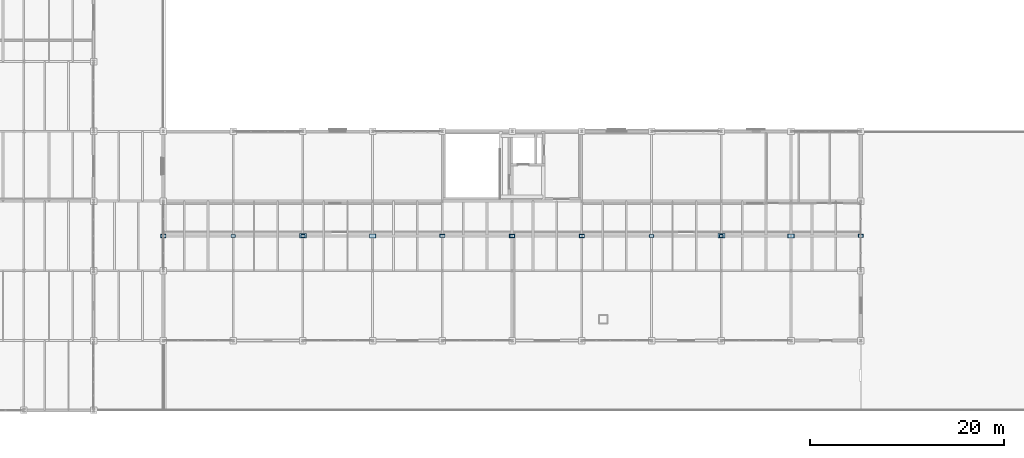
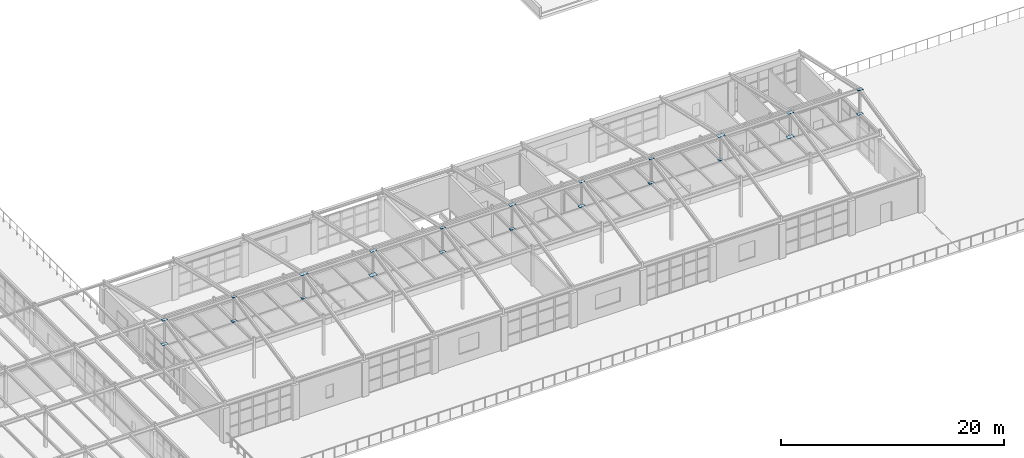
# One storey, part 89 of 101: 22 plates.
"""IFC4 building model written with IfcOpenShell, lengths in metres."""

from ifc_helpers import new_model, si_unit, direction, frame, origin, origin_2d, place, context, subcontext, project, spatial, rectangle, extrude, material, layer, layer_set, type_object, element, save


model = new_model("IFC4")

# Units and contexts
model_context = context("Model", 3, precision=1e-05, world=origin(), true_north=direction((0.0, 1.0)))
body_context = subcontext(model_context, "Body", "Model", "MODEL_VIEW")
ifc_project = project(units=[si_unit("LENGTHUNIT", "METRE"), si_unit("AREAUNIT", "SQUARE_METRE"), si_unit("VOLUMEUNIT", "CUBIC_METRE"), si_unit("PLANEANGLEUNIT", "RADIAN"), si_unit("MASSUNIT", "GRAM", prefix="KILO")], contexts=[model_context])

# Site, building, storey
site_placement = place(None, origin())
site = spatial("IfcSite", under=ifc_project, at=site_placement, CompositionType="ELEMENT")
building_placement = place(site_placement, origin())
building = spatial("IfcBuilding", under=site, at=building_placement, Name="Kemerveld Promenade Tramway Depot", CompositionType="ELEMENT")
storey_placement = place(building_placement, frame((0.0, 0.0, 9.89990234375)))
storey = spatial("IfcBuildingStorey", under=building, at=storey_placement, Name="L02", CompositionType="ELEMENT", Elevation=9.89990234375)

# Plates
ifc_material = material(Name="Steel S355", Category="steel")
ifc_layer_1 = layer(ifc_material, 0.02490234375)
ifc_layer_set_1 = layer_set([ifc_layer_1], Name="PL-GS01")
plate_type_1 = type_object("IfcPlateType", Name="PL-GS01", PredefinedType="USERDEFINED", material=ifc_layer_set_1)
plate_1_placement = place(storey_placement, frame((93.60009765625, 18.0, 6.702880859375), z_axis=(0.0, 0.0, 1.0), x_axis=(1.0, 0.0, 0.0)))
element("IfcPlate", 1, at=plate_1_placement, inside=storey, type_object=plate_type_1, Name="GP-NODE-0028", ObjectType="GUSSET_PLATE", PredefinedType="USERDEFINED", context=body_context, shape_type="SweptSolid", body=[
    extrude(rectangle(XDim=0.64990234375, YDim=0.419921875, at=origin_2d()), origin(), (0.0, 0.0, 1.0), 0.02490234375),
])
ifc_layer_2 = layer(ifc_material, 0.02490234375)
ifc_layer_set_2 = layer_set([ifc_layer_2], Name="PL-GS02")
plate_type_2 = type_object("IfcPlateType", Name="PL-GS02", PredefinedType="USERDEFINED", material=ifc_layer_set_2)
for number, where, z_axis, x_axis, name in (
    (2, (57.60009765625, 18.0, 4.03759765625), (0.0, 0.0, 1.0), (1.0, 0.0, 0.0), "GP-NODE-0017"),
    (3, (100.800048828125, 18.0, 4.03759765625), (0.0, 0.0, 1.0), (1.0, 0.0, 0.0), "GP-NODE-0029"),
):
    element("IfcPlate", number, at=place(storey_placement, frame(where, z_axis=z_axis, x_axis=x_axis)), inside=storey, type_object=plate_type_2, Name=name, ObjectType="GUSSET_PLATE", PredefinedType="USERDEFINED", context=body_context, shape_type="SweptSolid", body=[
        extrude(rectangle(XDim=0.580078125, YDim=0.3798828125, at=origin_2d()), origin(), (0.0, 0.0, 1.0), 0.02490234375),
    ])
ifc_layer_3 = layer(ifc_material, 0.02001953125)
ifc_layer_set_3 = layer_set([ifc_layer_3], Name="PL-GS03")
plate_type_3 = type_object("IfcPlateType", Name="PL-GS03", PredefinedType="USERDEFINED", material=ifc_layer_set_3)
for number, where, z_axis, x_axis, name in (
    (4, (57.60009765625, 18.0, 6.705322265625), (0.0, 0.0, 1.0), (1.0, 0.0, 0.0), "GP-NODE-0018"),
    (5, (100.800048828125, 18.0, 6.705322265625), (0.0, 0.0, 1.0), (1.0, 0.0, 0.0), "GP-NODE-0030"),
):
    element("IfcPlate", number, at=place(storey_placement, frame(where, z_axis=z_axis, x_axis=x_axis)), inside=storey, type_object=plate_type_3, Name=name, ObjectType="GUSSET_PLATE", PredefinedType="USERDEFINED", context=body_context, shape_type="SweptSolid", body=[
        extrude(rectangle(XDim=0.52001953125, YDim=0.340087890625, at=origin_2d()), origin(), (0.0, 0.0, 1.0), 0.02001953125),
    ])
ifc_layer_4 = layer(ifc_material, 0.02001953125)
ifc_layer_set_4 = layer_set([ifc_layer_4], Name="PL-GS04")
plate_type_4 = type_object("IfcPlateType", Name="PL-GS04", PredefinedType="USERDEFINED", material=ifc_layer_set_4)
for number, where, z_axis, x_axis, name in (
    (6, (64.800048828125, 18.0, 4.0400390625), (0.0, 0.0, 1.0), (1.0, 0.0, 0.0), "GP-NODE-0019"),
    (7, (108.0, 18.0, 4.0400390625), (0.0, 0.0, 1.0), (1.0, 0.0, 0.0), "GP-NODE-0031"),
):
    element("IfcPlate", number, at=place(storey_placement, frame(where, z_axis=z_axis, x_axis=x_axis)), inside=storey, type_object=plate_type_4, Name=name, ObjectType="GUSSET_PLATE", PredefinedType="USERDEFINED", context=body_context, shape_type="SweptSolid", body=[
        extrude(rectangle(XDim=0.47998046875, YDim=0.320068359375, at=origin_2d()), origin(), (0.0, 0.0, 1.0), 0.02001953125),
    ])
ifc_layer_5 = layer(ifc_material, 0.02001953125)
ifc_layer_set_5 = layer_set([ifc_layer_5], Name="PL-GS05")
plate_type_5 = type_object("IfcPlateType", Name="PL-GS05", PredefinedType="USERDEFINED", material=ifc_layer_set_5)
for number, where, z_axis, x_axis, name in (
    (8, (64.800048828125, 18.0, 6.705322265625), (0.0, 0.0, 1.0), (1.0, 0.0, 0.0), "GP-NODE-0020"),
    (9, (108.0, 18.0, 6.705322265625), (0.0, 0.0, 1.0), (1.0, 0.0, 0.0), "GP-NODE-0032"),
):
    element("IfcPlate", number, at=place(storey_placement, frame(where, z_axis=z_axis, x_axis=x_axis)), inside=storey, type_object=plate_type_5, Name=name, ObjectType="GUSSET_PLATE", PredefinedType="USERDEFINED", context=body_context, shape_type="SweptSolid", body=[
        extrude(rectangle(XDim=0.43994140625, YDim=0.300048828125, at=origin_2d()), origin(), (0.0, 0.0, 1.0), 0.02001953125),
    ])
ifc_layer_6 = layer(ifc_material, 0.01806640625)
ifc_layer_set_6 = layer_set([ifc_layer_6], Name="PL-GS06")
plate_type_6 = type_object("IfcPlateType", Name="PL-GS06", PredefinedType="USERDEFINED", material=ifc_layer_set_6)
for number, where, z_axis, x_axis, name in (
    (10, (72.0, 18.0, 4.041015625), (0.0, 0.0, 1.0), (1.0, 0.0, 0.0), "GP-NODE-0021"),
    (11, (115.199951171875, 18.0, 4.041015625), (0.0, 0.0, 1.0), (1.0, 0.0, 0.0), "GP-NODE-0033"),
):
    element("IfcPlate", number, at=place(storey_placement, frame(where, z_axis=z_axis, x_axis=x_axis)), inside=storey, type_object=plate_type_6, Name=name, ObjectType="GUSSET_PLATE", PredefinedType="USERDEFINED", context=body_context, shape_type="SweptSolid", body=[
        extrude(rectangle(XDim=0.39990234375, YDim=0.280029296875, at=origin_2d()), origin(), (0.0, 0.0, 1.0), 0.01806640625),
    ])
ifc_layer_7 = layer(ifc_material, 0.028076171875)
ifc_layer_set_7 = layer_set([ifc_layer_7], Name="PL-GS07")
plate_type_7 = type_object("IfcPlateType", Name="PL-GS07", PredefinedType="USERDEFINED", material=ifc_layer_set_7)
for number, where, z_axis, x_axis, name in (
    (12, (72.0, 18.0, 6.701171875), (0.0, 0.0, 1.0), (1.0, 0.0, 0.0), "GP-NODE-0022"),
    (13, (115.199951171875, 18.0, 6.701171875), (0.0, 0.0, 1.0), (1.0, 0.0, 0.0), "GP-NODE-0034"),
):
    element("IfcPlate", number, at=place(storey_placement, frame(where, z_axis=z_axis, x_axis=x_axis)), inside=storey, type_object=plate_type_7, Name=name, ObjectType="GUSSET_PLATE", PredefinedType="USERDEFINED", context=body_context, shape_type="SweptSolid", body=[
        extrude(rectangle(XDim=0.719970703125, YDim=0.4599609375, at=origin_2d()), origin(), (0.0, 0.0, 1.0), 0.028076171875),
    ])
ifc_layer_8 = layer(ifc_material, 0.02587890625)
ifc_layer_set_8 = layer_set([ifc_layer_8], Name="PL-GS08")
plate_type_8 = type_object("IfcPlateType", Name="PL-GS08", PredefinedType="USERDEFINED", material=ifc_layer_set_8)
for number, where, z_axis, x_axis, name in (
    (14, (79.199951171875, 18.0, 4.037109375), (0.0, 0.0, 1.0), (1.0, 0.0, 0.0), "GP-NODE-0023"),
    (15, (122.39990234375, 18.0, 4.037109375), (0.0, 0.0, 1.0), (1.0, 0.0, 0.0), "GP-NODE-0035"),
):
    element("IfcPlate", number, at=place(storey_placement, frame(where, z_axis=z_axis, x_axis=x_axis)), inside=storey, type_object=plate_type_8, Name=name, ObjectType="GUSSET_PLATE", PredefinedType="USERDEFINED", context=body_context, shape_type="SweptSolid", body=[
        extrude(rectangle(XDim=0.679931640625, YDim=0.43994140625, at=origin_2d()), origin(), (0.0, 0.0, 1.0), 0.02587890625),
    ])
ifc_layer_9 = layer(ifc_material, 0.02392578125)
ifc_layer_set_9 = layer_set([ifc_layer_9], Name="PL-GS09")
plate_type_9 = type_object("IfcPlateType", Name="PL-GS09", PredefinedType="USERDEFINED", material=ifc_layer_set_9)
for number, where, z_axis, x_axis, name in (
    (16, (79.199951171875, 18.0, 6.703369140625), (0.0, 0.0, 1.0), (1.0, 0.0, 0.0), "GP-NODE-0024"),
    (17, (122.39990234375, 18.0, 6.703369140625), (0.0, 0.0, 1.0), (1.0, 0.0, 0.0), "GP-NODE-0036"),
):
    element("IfcPlate", number, at=place(storey_placement, frame(where, z_axis=z_axis, x_axis=x_axis)), inside=storey, type_object=plate_type_9, Name=name, ObjectType="GUSSET_PLATE", PredefinedType="USERDEFINED", context=body_context, shape_type="SweptSolid", body=[
        extrude(rectangle(XDim=0.6201171875, YDim=0.39990234375, at=origin_2d()), origin(), (0.0, 0.0, 1.0), 0.02392578125),
    ])
ifc_layer_10 = layer(ifc_material, 0.02197265625)
ifc_layer_set_10 = layer_set([ifc_layer_10], Name="PL-GS10")
plate_type_10 = type_object("IfcPlateType", Name="PL-GS10", PredefinedType="USERDEFINED", material=ifc_layer_set_10)
for number, where, z_axis, x_axis, name in (
    (18, (86.39990234375, 18.0, 4.0390625), (0.0, 0.0, 1.0), (1.0, 0.0, 0.0), "GP-NODE-0025"),
    (19, (129.60009765625, 18.0, 4.0390625), (0.0, 0.0, 1.0), (1.0, 0.0, 0.0), "GP-NODE-0037"),
):
    element("IfcPlate", number, at=place(storey_placement, frame(where, z_axis=z_axis, x_axis=x_axis)), inside=storey, type_object=plate_type_10, Name=name, ObjectType="GUSSET_PLATE", PredefinedType="USERDEFINED", context=body_context, shape_type="SweptSolid", body=[
        extrude(rectangle(XDim=0.550048828125, YDim=0.360107421875, at=origin_2d()), origin(), (0.0, 0.0, 1.0), 0.02197265625),
    ])
ifc_layer_11 = layer(ifc_material, 0.02001953125)
ifc_layer_set_11 = layer_set([ifc_layer_11], Name="PL-GS11")
plate_type_11 = type_object("IfcPlateType", Name="PL-GS11", PredefinedType="USERDEFINED", material=ifc_layer_set_11)
for number, where, z_axis, x_axis, name in (
    (20, (86.39990234375, 18.0, 6.705322265625), (0.0, 0.0, 1.0), (1.0, 0.0, 0.0), "GP-NODE-0026"),
    (21, (129.60009765625, 18.0, 6.705322265625), (0.0, 0.0, 1.0), (1.0, 0.0, 0.0), "GP-NODE-0038"),
):
    element("IfcPlate", number, at=place(storey_placement, frame(where, z_axis=z_axis, x_axis=x_axis)), inside=storey, type_object=plate_type_11, Name=name, ObjectType="GUSSET_PLATE", PredefinedType="USERDEFINED", context=body_context, shape_type="SweptSolid", body=[
        extrude(rectangle(XDim=0.5, YDim=0.330078125, at=origin_2d()), origin(), (0.0, 0.0, 1.0), 0.02001953125),
    ])
ifc_layer_12 = layer(ifc_material, 0.01806640625)
ifc_layer_set_12 = layer_set([ifc_layer_12], Name="PL-GS12")
plate_type_12 = type_object("IfcPlateType", Name="PL-GS12", PredefinedType="USERDEFINED", material=ifc_layer_set_12)
plate_2_placement = place(storey_placement, frame((93.60009765625, 18.0, 4.041015625), z_axis=(0.0, 0.0, 1.0), x_axis=(1.0, 0.0, 0.0)))
element("IfcPlate", 22, at=plate_2_placement, inside=storey, type_object=plate_type_12, Name="GP-NODE-0027", ObjectType="GUSSET_PLATE", PredefinedType="USERDEFINED", context=body_context, shape_type="SweptSolid", body=[
    extrude(rectangle(XDim=0.4599609375, YDim=0.31005859375, at=origin_2d()), origin(), (0.0, 0.0, 1.0), 0.01806640625),
])

save(model, "model.ifc")
